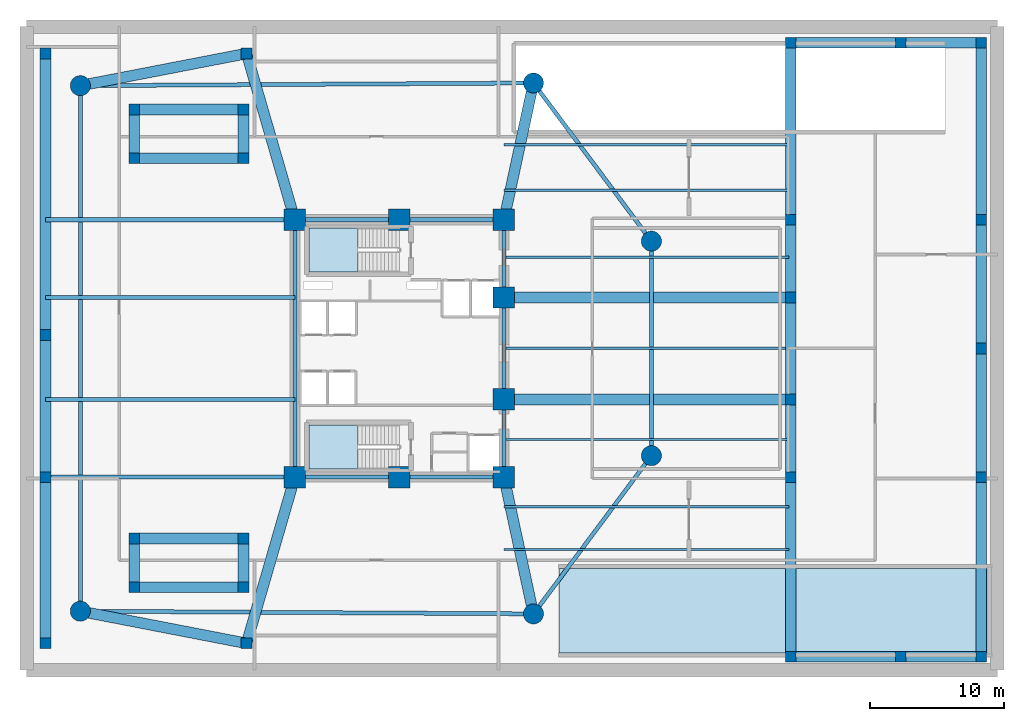
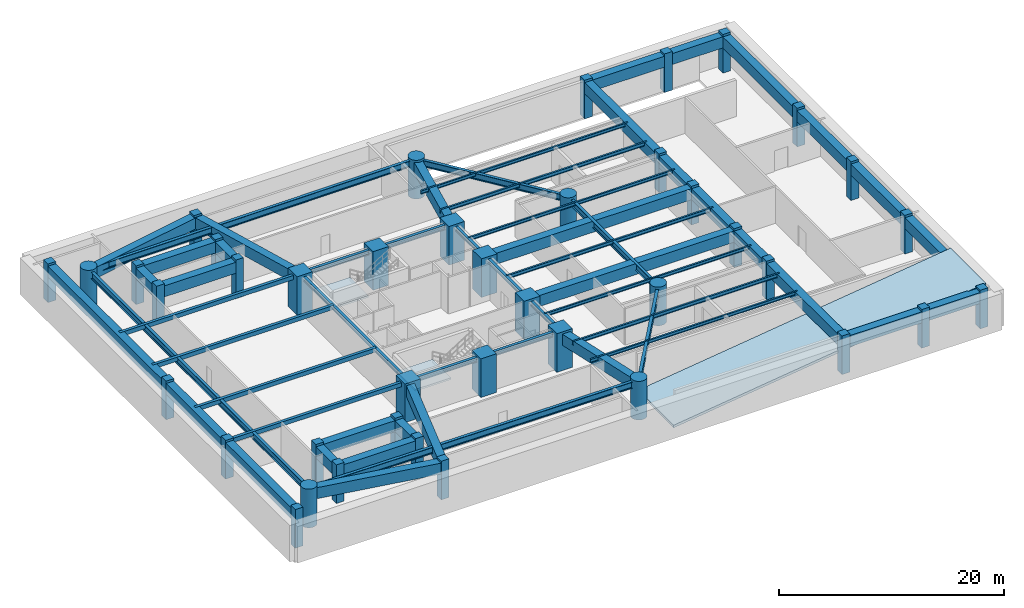
# One storey, part 1 of 7: 48 beams, 41 columns, 3 slabs, 2 elements without a shape of their own.
"""IFC4 building model written with IfcOpenShell, lengths in metres."""

from ifc_helpers import new_model, si_unit, direction, frame, origin, origin_2d, place, context, subcontext, project, spatial, polyline, rectangle, circle, i_section, outline, extrude, material, layer, layer_set, material_profile, profile_set, type_object, element, aggregate, save


model = new_model("IFC4")

# Units and contexts
model_context = context("Model", 3, precision=1e-05, world=origin(), true_north=direction((0.0, 1.0)))
body_context = subcontext(model_context, "Body", "Model", "MODEL_VIEW")
ifc_project = project(units=[si_unit("LENGTHUNIT", "METRE"), si_unit("AREAUNIT", "SQUARE_METRE"), si_unit("VOLUMEUNIT", "CUBIC_METRE"), si_unit("PLANEANGLEUNIT", "RADIAN"), si_unit("MASSUNIT", "GRAM", prefix="KILO")], contexts=[model_context])

# Site, building, storey
site_placement = place(None, origin())
site = spatial("IfcSite", under=ifc_project, at=site_placement, CompositionType="ELEMENT")
building_placement = place(site_placement, origin())
building = spatial("IfcBuilding", under=site, at=building_placement, Name="An Khanh Terracotta Commons", CompositionType="ELEMENT")
storey_placement = place(building_placement, frame((0.0, 0.0, -4.199951171875)))
storey = spatial("IfcBuildingStorey", under=building, at=storey_placement, Name="B01", CompositionType="ELEMENT", Elevation=-4.199951171875)

# Columns
ifc_material_1 = material(Name="Concrete C70/85", Category="concrete")
ifc_material_profile_1 = material_profile(ifc_material_1, circle(Radius=0.75, at=origin_2d()), Name="CFST1500")
ifc_profile_set_1 = profile_set([ifc_material_profile_1], Name="Concrete C70/85")
column_type_1 = type_object("IfcColumnType", Name="COL-CFST1500", PredefinedType="COLUMN", material=ifc_profile_set_1)
for number, where, z_axis, x_axis, name in (
    (1, (5.60009765625, 4.39990234375, 0.0), (0.0, 0.0, 1.0), (1.0, 0.0, 0.0), "B01 Mega-Column MC-01"),
    (2, (39.39990234375, 4.199951171875, 0.0), (0.0, 0.0, 1.0), (1.0, 0.0, 0.0), "B01 Mega-Column MC-02"),
    (3, (48.199951171875, 16.0, 0.0), (0.0, 0.0, 1.0), (1.0, 0.0, 0.0), "B01 Mega-Column MC-03"),
    (4, (48.199951171875, 32.0, 0.0), (0.0, 0.0, 1.0), (1.0, 0.0, 0.0), "B01 Mega-Column MC-04"),
    (5, (39.39990234375, 43.800048828125, 0.0), (0.0, 0.0, 1.0), (1.0, 0.0, 0.0), "B01 Mega-Column MC-05"),
    (6, (5.60009765625, 43.60009765625, 0.0), (0.0, 0.0, 1.0), (1.0, 0.0, 0.0), "B01 Mega-Column MC-06"),
):
    element("IfcColumn", number, at=place(storey_placement, frame(where, z_axis=z_axis, x_axis=x_axis)), inside=storey, type_object=column_type_1, Name=name, PredefinedType="COLUMN", context=body_context, shape_type="SweptSolid", body=[
        extrude(circle(Radius=0.75, at=origin_2d()), origin(), (0.0, 0.0, 1.0), 4.199951171875),
    ])
ifc_material_profile_2 = material_profile(ifc_material_1, rectangle(XDim=1.60009765625, YDim=1.60009765625, at=origin_2d()), Name="RC1600x1600")
ifc_profile_set_2 = profile_set([ifc_material_profile_2], Name="Concrete C70/85")
column_type_2 = type_object("IfcColumnType", Name="COL-RC1600x1600", PredefinedType="COLUMN", material=ifc_profile_set_2)
for number, where, z_axis, x_axis, name in (
    (7, (21.60009765625, 14.39990234375, 0.0), (0.0, 0.0, 1.0), (1.0, 0.0, 0.0), "B01 Core Boundary Column CC-01"),
    (8, (29.39990234375, 14.39990234375, 0.0), (0.0, 0.0, 1.0), (1.0, 0.0, 0.0), "B01 Core Boundary Column CC-02"),
    (9, (37.199951171875, 14.39990234375, 0.0), (0.0, 0.0, 1.0), (1.0, 0.0, 0.0), "B01 Core Boundary Column CC-03"),
    (10, (37.199951171875, 20.199951171875, 0.0), (0.0, 0.0, 1.0), (1.0, 0.0, 0.0), "B01 Core Boundary Column CC-04"),
    (11, (37.199951171875, 27.800048828125, 0.0), (0.0, 0.0, 1.0), (1.0, 0.0, 0.0), "B01 Core Boundary Column CC-05"),
    (12, (37.199951171875, 33.60009765625, 0.0), (0.0, 0.0, 1.0), (1.0, 0.0, 0.0), "B01 Core Boundary Column CC-06"),
    (13, (29.39990234375, 33.60009765625, 0.0), (0.0, 0.0, 1.0), (1.0, 0.0, 0.0), "B01 Core Boundary Column CC-07"),
    (14, (21.60009765625, 33.60009765625, 0.0), (0.0, 0.0, 1.0), (1.0, 0.0, 0.0), "B01 Core Boundary Column CC-08"),
):
    element("IfcColumn", number, at=place(storey_placement, frame(where, z_axis=z_axis, x_axis=x_axis)), inside=storey, type_object=column_type_2, Name=name, PredefinedType="COLUMN", context=body_context, shape_type="SweptSolid", body=[
        extrude(rectangle(XDim=1.60009765625, YDim=1.60009765625, at=origin_2d()), origin(), (0.0, 0.0, 1.0), 4.199951171875),
    ])
ifc_material_2 = material(Name="Concrete C60/75", Category="concrete")
ifc_material_profile_3 = material_profile(ifc_material_2, rectangle(XDim=0.800048828125, YDim=0.800048828125, at=origin_2d()), Name="RC800x800")
ifc_profile_set_3 = profile_set([ifc_material_profile_3], Name="Concrete C60/75")
column_type_3 = type_object("IfcColumnType", Name="COL-RC800x800", PredefinedType="COLUMN", material=ifc_profile_set_3)
for number, where, z_axis, x_axis, name in (
    (15, (3.0, 2.0, 0.0), (0.0, 0.0, 1.0), (1.0, 0.0, 0.0), "B01 Podium Column PC-01"),
    (16, (18.0, 2.0, 0.0), (0.0, 0.0, 1.0), (1.0, 0.0, 0.0), "B01 Podium Column PC-02"),
    (17, (58.60009765625, 1.0, 0.0), (0.0, 0.0, 1.0), (1.0, 0.0, 0.0), "B01 Podium Column PC-03"),
    (18, (72.800048828125, 1.0, 0.0), (0.0, 0.0, 1.0), (1.0, 0.0, 0.0), "B01 Podium Column PC-04"),
    (19, (72.800048828125, 14.39990234375, 0.0), (0.0, 0.0, 1.0), (1.0, 0.0, 0.0), "B01 Podium Column PC-05"),
    (20, (72.800048828125, 24.0, 0.0), (0.0, 0.0, 1.0), (1.0, 0.0, 0.0), "B01 Podium Column PC-06"),
    (21, (72.800048828125, 33.60009765625, 0.0), (0.0, 0.0, 1.0), (1.0, 0.0, 0.0), "B01 Podium Column PC-07"),
    (22, (72.800048828125, 46.800048828125, 0.0), (0.0, 0.0, 1.0), (1.0, 0.0, 0.0), "B01 Podium Column PC-08"),
    (23, (58.60009765625, 46.800048828125, 0.0), (0.0, 0.0, 1.0), (1.0, 0.0, 0.0), "B01 Podium Column PC-09"),
    (24, (18.0, 46.0, 0.0), (0.0, 0.0, 1.0), (1.0, 0.0, 0.0), "B01 Podium Column PC-10"),
    (25, (3.0, 46.0, 0.0), (0.0, 0.0, 1.0), (1.0, 0.0, 0.0), "B01 Podium Column PC-11"),
    (26, (3.0, 14.39990234375, 0.0), (0.0, 0.0, 1.0), (1.0, 0.0, 0.0), "B01 Podium Column PC-12"),
    (27, (3.0, 25.0, 0.0), (0.0, 0.0, 1.0), (1.0, 0.0, 0.0), "B01 Podium Column PC-17"),
    (28, (58.60009765625, 20.199951171875, 0.0), (0.0, 0.0, 1.0), (1.0, 0.0, 0.0), "B01 Podium Column PC-13"),
    (29, (58.60009765625, 27.800048828125, 0.0), (0.0, 0.0, 1.0), (1.0, 0.0, 0.0), "B01 Podium Column PC-14"),
    (30, (58.60009765625, 14.39990234375, 0.0), (0.0, 0.0, 1.0), (1.0, 0.0, 0.0), "B01 Podium Column PC-18"),
    (31, (58.60009765625, 33.60009765625, 0.0), (0.0, 0.0, 1.0), (1.0, 0.0, 0.0), "B01 Podium Column PC-19"),
    (32, (9.6298828125, 6.179931640625, 0.0), (0.0, 0.0, 1.0), (1.0, 0.0, 0.0), "B01 Podium Column PC-20"),
    (33, (17.77001953125, 9.820068359375, 0.0), (0.0, 0.0, 1.0), (1.0, 0.0, 0.0), "B01 Podium Column PC-21"),
    (34, (9.6298828125, 38.179931640625, 0.0), (0.0, 0.0, 1.0), (1.0, 0.0, 0.0), "B01 Podium Column PC-22"),
    (35, (17.77001953125, 41.820068359375, 0.0), (0.0, 0.0, 1.0), (1.0, 0.0, 0.0), "B01 Podium Column PC-23"),
    (36, (17.77001953125, 6.179931640625, 0.0), (0.0, 0.0, 1.0), (1.0, 0.0, 0.0), "B01 Podium Column PC-24"),
    (37, (9.6298828125, 9.820068359375, 0.0), (0.0, 0.0, 1.0), (1.0, 0.0, 0.0), "B01 Podium Column PC-25"),
    (38, (17.77001953125, 38.179931640625, 0.0), (0.0, 0.0, 1.0), (1.0, 0.0, 0.0), "B01 Podium Column PC-26"),
    (39, (9.6298828125, 41.820068359375, 0.0), (0.0, 0.0, 1.0), (1.0, 0.0, 0.0), "B01 Podium Column PC-27"),
    (40, (66.800048828125, 1.0, 0.0), (0.0, 0.0, 1.0), (1.0, 0.0, 0.0), "B01 Podium Column PC-15"),
    (41, (66.800048828125, 46.800048828125, 0.0), (0.0, 0.0, 1.0), (1.0, 0.0, 0.0), "B01 Podium Column PC-16"),
):
    element("IfcColumn", number, at=place(storey_placement, frame(where, z_axis=z_axis, x_axis=x_axis)), inside=storey, type_object=column_type_3, Name=name, PredefinedType="COLUMN", context=body_context, shape_type="SweptSolid", body=[
        extrude(rectangle(XDim=0.800048828125, YDim=0.800048828125, at=origin_2d()), origin(), (0.0, 0.0, 1.0), 4.199951171875),
    ])

# Beams
ifc_material_3 = material(Name="Steel S355J2", Category="steel")
ifc_material_profile_4 = material_profile(ifc_material_3, i_section(OverallWidth=0.300048828125, OverallDepth=0.449951171875, WebThickness=0.013916015625, FlangeThickness=0.02587890625, FilletRadius=0.027099609375, at=origin_2d()), Name="HEB450")
ifc_profile_set_4 = profile_set([ifc_material_profile_4], Name="Steel S355J2")
beam_type_1 = type_object("IfcBeamType", Name="BM-HEB450", PredefinedType="BEAM", material=ifc_profile_set_4)
beam_1_placement = place(storey_placement, frame((37.199951171875, 14.39990234375, 3.73486328125), z_axis=(0.0, 1.0, 0.0), x_axis=(-1.0, 0.0, 0.0)))
element("IfcBeam", 42, at=beam_1_placement, inside=storey, type_object=beam_type_1, Name="B01 Core East Coupling Girder 1", PredefinedType="BEAM", context=body_context, shape_type="SweptSolid", body=[
    extrude(i_section(OverallWidth=0.300048828125, OverallDepth=0.449951171875, WebThickness=0.013916015625, FlangeThickness=0.02587890625, FilletRadius=0.027099609375, at=origin_2d()), origin(), (0.0, 0.0, 1.0), 5.800048828125),
])
beam_2_placement = place(storey_placement, frame((37.199951171875, 20.199951171875, 3.73486328125), z_axis=(0.0, 1.0, 0.0), x_axis=(-1.0, 0.0, 0.0)))
element("IfcBeam", 43, at=beam_2_placement, inside=storey, type_object=beam_type_1, Name="B01 Core East Coupling Girder 2", PredefinedType="BEAM", context=body_context, shape_type="SweptSolid", body=[
    extrude(i_section(OverallWidth=0.300048828125, OverallDepth=0.449951171875, WebThickness=0.013916015625, FlangeThickness=0.02587890625, FilletRadius=0.027099609375, at=origin_2d()), origin(), (0.0, 0.0, 1.0), 7.60009765625),
])
beam_3_placement = place(storey_placement, frame((37.199951171875, 27.800048828125, 3.73486328125), z_axis=(0.0, 1.0, 0.0), x_axis=(-1.0, 0.0, 0.0)))
element("IfcBeam", 44, at=beam_3_placement, inside=storey, type_object=beam_type_1, Name="B01 Core East Coupling Girder 3", PredefinedType="BEAM", context=body_context, shape_type="SweptSolid", body=[
    extrude(i_section(OverallWidth=0.300048828125, OverallDepth=0.449951171875, WebThickness=0.013916015625, FlangeThickness=0.02587890625, FilletRadius=0.027099609375, at=origin_2d()), origin(), (0.0, 0.0, 1.0), 5.800048828125),
])
beam_4_placement = place(storey_placement, frame((21.60009765625, 14.39990234375, 3.73486328125), z_axis=(0.0, 1.0, 0.0), x_axis=(-1.0, 0.0, 0.0)))
element("IfcBeam", 45, at=beam_4_placement, inside=storey, type_object=beam_type_1, Name="B01 Core West Coupling Girder", PredefinedType="BEAM", context=body_context, shape_type="SweptSolid", body=[
    extrude(i_section(OverallWidth=0.300048828125, OverallDepth=0.449951171875, WebThickness=0.013916015625, FlangeThickness=0.02587890625, FilletRadius=0.027099609375, at=origin_2d()), origin(), (0.0, 0.0, 1.0), 19.2001953125),
])
ifc_material_profile_5 = material_profile(ifc_material_3, i_section(OverallWidth=0.300048828125, OverallDepth=0.5, WebThickness=0.014404296875, FlangeThickness=0.028076171875, FilletRadius=0.027099609375, at=origin_2d()), Name="HEB500")
ifc_profile_set_5 = profile_set([ifc_material_profile_5], Name="Steel S355J2")
beam_type_2 = type_object("IfcBeamType", Name="BM-HEB500", PredefinedType="BEAM", material=ifc_profile_set_5)
for number, where, z_axis, x_axis, name in (
    (46, (21.60009765625, 14.39990234375, 3.7099609375), (1.0, 0.0, 0.0), (0.0, 1.0, 0.0), "B01 Core South Coupling Girder"),
    (47, (21.60009765625, 33.60009765625, 3.7099609375), (1.0, 0.0, 0.0), (0.0, 1.0, 0.0), "B01 Core North Coupling Girder"),
):
    element("IfcBeam", number, at=place(storey_placement, frame(where, z_axis=z_axis, x_axis=x_axis)), inside=storey, type_object=beam_type_2, Name=name, PredefinedType="BEAM", context=body_context, shape_type="SweptSolid", body=[
        extrude(i_section(OverallWidth=0.300048828125, OverallDepth=0.5, WebThickness=0.014404296875, FlangeThickness=0.028076171875, FilletRadius=0.027099609375, at=origin_2d()), origin(), (0.0, 0.0, 1.0), 15.599853515625),
    ])
ifc_material_profile_6 = material_profile(ifc_material_3, i_section(OverallWidth=0.300048828125, OverallDepth=0.699951171875, WebThickness=0.01708984375, FlangeThickness=0.031982421875, FilletRadius=0.027099609375, at=origin_2d()), Name="HEB700")
ifc_profile_set_6 = profile_set([ifc_material_profile_6], Name="Steel S355J2")
beam_type_3 = type_object("IfcBeamType", Name="BM-HEB700", PredefinedType="BEAM", material=ifc_profile_set_6)
beam_5_placement = place(storey_placement, frame((5.60009765625, 4.39990234375, 3.60986328125), z_axis=(0.999982502414, -0.005915645817, 0.0), x_axis=(0.005915645817, 0.999982502414, 0.0)))
element("IfcBeam", 48, at=beam_5_placement, inside=storey, type_object=beam_type_3, Name="B01 Podium Mega-Ring Girder 1", PredefinedType="BEAM", context=body_context, shape_type="SweptSolid", body=[
    extrude(i_section(OverallWidth=0.300048828125, OverallDepth=0.699951171875, WebThickness=0.01708984375, FlangeThickness=0.031982421875, FilletRadius=0.027099609375, at=origin_2d()), origin(), (0.0, 0.0, 1.0), 33.80029296875),
])
beam_6_placement = place(storey_placement, frame((39.39990234375, 4.199951171875, 3.60986328125), z_axis=(0.59782442166, 0.801627070942, 0.0), x_axis=(-0.801627070942, 0.59782442166, 0.0)))
element("IfcBeam", 49, at=beam_6_placement, inside=storey, type_object=beam_type_3, Name="B01 Podium Mega-Ring Girder 2", PredefinedType="BEAM", context=body_context, shape_type="SweptSolid", body=[
    extrude(i_section(OverallWidth=0.300048828125, OverallDepth=0.699951171875, WebThickness=0.01708984375, FlangeThickness=0.031982421875, FilletRadius=0.027099609375, at=origin_2d()), origin(), (0.0, 0.0, 1.0), 14.72021484375),
])
beam_7_placement = place(storey_placement, frame((48.199951171875, 16.0, 3.60986328125), z_axis=(0.0, 1.0, 0.0), x_axis=(-1.0, 0.0, 0.0)))
element("IfcBeam", 50, at=beam_7_placement, inside=storey, type_object=beam_type_3, Name="B01 Podium Mega-Ring Girder 3", PredefinedType="BEAM", context=body_context, shape_type="SweptSolid", body=[
    extrude(i_section(OverallWidth=0.300048828125, OverallDepth=0.699951171875, WebThickness=0.01708984375, FlangeThickness=0.031982421875, FilletRadius=0.027099609375, at=origin_2d()), origin(), (0.0, 0.0, 1.0), 16.0),
])
beam_8_placement = place(storey_placement, frame((48.199951171875, 32.0, 3.60986328125), z_axis=(-0.59782442166, 0.801627070942, 0.0), x_axis=(-0.801627070942, -0.59782442166, 0.0)))
element("IfcBeam", 51, at=beam_8_placement, inside=storey, type_object=beam_type_3, Name="B01 Podium Mega-Ring Girder 4", PredefinedType="BEAM", context=body_context, shape_type="SweptSolid", body=[
    extrude(i_section(OverallWidth=0.300048828125, OverallDepth=0.699951171875, WebThickness=0.01708984375, FlangeThickness=0.031982421875, FilletRadius=0.027099609375, at=origin_2d()), origin(), (0.0, 0.0, 1.0), 14.72021484375),
])
beam_9_placement = place(storey_placement, frame((39.39990234375, 43.800048828125, 3.60986328125), z_axis=(-0.999982502414, -0.005915645817, 0.0), x_axis=(0.005915645817, -0.999982502414, 0.0)))
element("IfcBeam", 52, at=beam_9_placement, inside=storey, type_object=beam_type_3, Name="B01 Podium Mega-Ring Girder 5", PredefinedType="BEAM", context=body_context, shape_type="SweptSolid", body=[
    extrude(i_section(OverallWidth=0.300048828125, OverallDepth=0.699951171875, WebThickness=0.01708984375, FlangeThickness=0.031982421875, FilletRadius=0.027099609375, at=origin_2d()), origin(), (0.0, 0.0, 1.0), 33.80029296875),
])
beam_10_placement = place(storey_placement, frame((5.60009765625, 43.60009765625, 3.60986328125), z_axis=(0.0, -1.0, 0.0), x_axis=(1.0, 0.0, 0.0)))
element("IfcBeam", 53, at=beam_10_placement, inside=storey, type_object=beam_type_3, Name="B01 Podium Mega-Ring Girder 6", PredefinedType="BEAM", context=body_context, shape_type="SweptSolid", body=[
    extrude(i_section(OverallWidth=0.300048828125, OverallDepth=0.699951171875, WebThickness=0.01708984375, FlangeThickness=0.031982421875, FilletRadius=0.027099609375, at=origin_2d()), origin(), (0.0, 0.0, 1.0), 39.2001953125),
])
ifc_material_profile_7 = material_profile(ifc_material_3, i_section(OverallWidth=0.169921875, OverallDepth=0.360107421875, WebThickness=0.008056640625, FlangeThickness=0.0126953125, FilletRadius=0.01806640625, at=origin_2d()), Name="IPE360")
ifc_profile_set_7 = profile_set([ifc_material_profile_7], Name="Steel S355J2")
beam_type_4 = type_object("IfcBeamType", Name="BM-IPE360", PredefinedType="JOIST", material=ifc_profile_set_7)
for number, where, z_axis, x_axis, name in (
    (54, (37.199951171875, 9.0, 3.780029296875), (1.0, 0.0, 0.0), (0.0, 1.0, 0.0), "B01 East Composite Floor Joist 2"),
    (55, (37.199951171875, 17.199951171875, 3.780029296875), (1.0, 0.0, 0.0), (0.0, 1.0, 0.0), "B01 East Composite Floor Joist 4"),
    (56, (37.199951171875, 30.800048828125, 3.780029296875), (1.0, 0.0, 0.0), (0.0, 1.0, 0.0), "B01 East Composite Floor Joist 6"),
    (57, (37.199951171875, 39.199951171875, 3.780029296875), (1.0, 0.0, 0.0), (0.0, 1.0, 0.0), "B01 East Composite Floor Joist 8"),
):
    element("IfcBeam", number, at=place(storey_placement, frame(where, z_axis=z_axis, x_axis=x_axis)), inside=storey, type_object=beam_type_4, Name=name, PredefinedType="JOIST", context=body_context, shape_type="SweptSolid", body=[
        extrude(i_section(OverallWidth=0.169921875, OverallDepth=0.360107421875, WebThickness=0.008056640625, FlangeThickness=0.0126953125, FilletRadius=0.01806640625, at=origin_2d()), origin(), (0.0, 0.0, 1.0), 21.25),
    ])
ifc_material_profile_8 = material_profile(ifc_material_3, i_section(OverallWidth=0.179931640625, OverallDepth=0.39990234375, WebThickness=0.008544921875, FlangeThickness=0.013427734375, FilletRadius=0.02099609375, at=origin_2d()), Name="IPE400")
ifc_profile_set_8 = profile_set([ifc_material_profile_8], Name="Steel S355J2")
beam_type_5 = type_object("IfcBeamType", Name="BM-IPE400", PredefinedType="JOIST", material=ifc_profile_set_8)
for number, where, z_axis, x_axis, name in (
    (58, (37.199951171875, 12.199951171875, 3.760009765625), (1.0, 0.0, 0.0), (0.0, 1.0, 0.0), "B01 East Composite Floor Joist 3"),
    (59, (37.199951171875, 24.0, 3.760009765625), (1.0, 0.0, 0.0), (0.0, 1.0, 0.0), "B01 East Composite Floor Joist 5"),
    (60, (37.199951171875, 35.800048828125, 3.760009765625), (1.0, 0.0, 0.0), (0.0, 1.0, 0.0), "B01 East Composite Floor Joist 7"),
):
    element("IfcBeam", number, at=place(storey_placement, frame(where, z_axis=z_axis, x_axis=x_axis)), inside=storey, type_object=beam_type_5, Name=name, PredefinedType="JOIST", context=body_context, shape_type="SweptSolid", body=[
        extrude(i_section(OverallWidth=0.179931640625, OverallDepth=0.39990234375, WebThickness=0.008544921875, FlangeThickness=0.013427734375, FilletRadius=0.02099609375, at=origin_2d()), origin(), (0.0, 0.0, 1.0), 21.25),
    ])
ifc_material_4 = material(Name="Concrete C40/50", Category="concrete")
ifc_material_profile_9 = material_profile(ifc_material_4, rectangle(XDim=0.300048828125, YDim=0.449951171875, at=origin_2d()), Name="LNT300x450")
ifc_profile_set_9 = profile_set([ifc_material_profile_9], Name="Concrete C40/50")
beam_type_6 = type_object("IfcBeamType", Name="BM-LNT300x450", PredefinedType="LINTEL", material=ifc_profile_set_9)
for number, where, z_axis, x_axis, name in (
    (61, (3.0, 14.39990234375, 3.73486328125), (1.0, 0.0, 0.0), (0.0, 1.0, 0.0), "B01 West Basement Concrete Tie Lintel 1"),
    (62, (3.0, 20.199951171875, 3.73486328125), (1.0, 0.0, 0.0), (0.0, 1.0, 0.0), "B01 West Basement Concrete Tie Lintel 2"),
    (63, (3.0, 27.800048828125, 3.73486328125), (1.0, 0.0, 0.0), (0.0, 1.0, 0.0), "B01 West Basement Concrete Tie Lintel 3"),
    (64, (3.0, 33.60009765625, 3.73486328125), (1.0, 0.0, 0.0), (0.0, 1.0, 0.0), "B01 West Basement Concrete Tie Lintel 4"),
):
    element("IfcBeam", number, at=place(storey_placement, frame(where, z_axis=z_axis, x_axis=x_axis)), inside=storey, type_object=beam_type_6, Name=name, PredefinedType="LINTEL", context=body_context, shape_type="SweptSolid", body=[
        extrude(rectangle(XDim=0.300048828125, YDim=0.449951171875, at=origin_2d()), origin(), (0.0, 0.0, 1.0), 18.60009765625),
    ])
ifc_material_5 = material(Name="Concrete C50/60", Category="concrete")
ifc_material_profile_10 = material_profile(ifc_material_5, rectangle(XDim=0.800048828125, YDim=1.199951171875, at=origin_2d()), Name="RCB800x1200")
ifc_profile_set_10 = profile_set([ifc_material_profile_10], Name="Concrete C50/60")
beam_type_7 = type_object("IfcBeamType", Name="BM-RCB800x1200", PredefinedType="BEAM", material=ifc_profile_set_10)
beam_11_placement = place(storey_placement, frame((3.0, 2.0, 3.35986328125), z_axis=(0.0, 1.0, 0.0), x_axis=(-1.0, 0.0, 0.0)))
element("IfcBeam", 65, at=beam_11_placement, inside=storey, type_object=beam_type_7, Name="B01 Primary Podium Girder 1", PredefinedType="BEAM", context=body_context, shape_type="SweptSolid", body=[
    extrude(rectangle(XDim=0.800048828125, YDim=1.199951171875, at=origin_2d()), origin(), (0.0, 0.0, 1.0), 12.39990234375),
])
beam_12_placement = place(storey_placement, frame((3.0, 14.39990234375, 3.35986328125), z_axis=(0.0, 1.0, 0.0), x_axis=(-1.0, 0.0, 0.0)))
element("IfcBeam", 66, at=beam_12_placement, inside=storey, type_object=beam_type_7, Name="B01 Primary Podium Girder 2", PredefinedType="BEAM", context=body_context, shape_type="SweptSolid", body=[
    extrude(rectangle(XDim=0.800048828125, YDim=1.199951171875, at=origin_2d()), origin(), (0.0, 0.0, 1.0), 10.60009765625),
])
beam_13_placement = place(storey_placement, frame((3.0, 25.0, 3.35986328125), z_axis=(0.0, 1.0, 0.0), x_axis=(-1.0, 0.0, 0.0)))
element("IfcBeam", 67, at=beam_13_placement, inside=storey, type_object=beam_type_7, Name="B01 Primary Podium Girder 3", PredefinedType="BEAM", context=body_context, shape_type="SweptSolid", body=[
    extrude(rectangle(XDim=0.800048828125, YDim=1.199951171875, at=origin_2d()), origin(), (0.0, 0.0, 1.0), 21.0),
])
beam_14_placement = place(storey_placement, frame((5.60009765625, 4.39990234375, 3.35986328125), z_axis=(0.981781013874, -0.190015896168, 0.0), x_axis=(0.190015896168, 0.981781013874, 0.0)))
element("IfcBeam", 68, at=beam_14_placement, inside=storey, type_object=beam_type_7, Name="B01 Primary Podium Girder 4", PredefinedType="BEAM", context=body_context, shape_type="SweptSolid", body=[
    extrude(rectangle(XDim=0.800048828125, YDim=1.199951171875, at=origin_2d()), origin(), (0.0, 0.0, 1.0), 12.630126953125),
])
beam_15_placement = place(storey_placement, frame((18.0, 2.0, 3.35986328125), z_axis=(0.278819195264, 0.960343613689, 0.0), x_axis=(-0.960343613689, 0.278819195264, 0.0)))
element("IfcBeam", 69, at=beam_15_placement, inside=storey, type_object=beam_type_7, Name="B01 Primary Podium Girder 5", PredefinedType="BEAM", context=body_context, shape_type="SweptSolid", body=[
    extrude(rectangle(XDim=0.800048828125, YDim=1.199951171875, at=origin_2d()), origin(), (0.0, 0.0, 1.0), 12.911865234375),
])
for number, where, z_axis, x_axis, name in (
    (70, (39.39990234375, 4.199951171875, 3.35986328125), (-0.210834365214, 0.977521800496, 0.0), (-0.977521800496, -0.210834365214, 0.0), "B01 Primary Podium Girder 6"),
    (71, (39.39990234375, 43.800048828125, 3.35986328125), (-0.210834365214, -0.977521800496, 0.0), (0.977521800496, -0.210834365214, 0.0), "B01 Primary Podium Girder 7"),
):
    element("IfcBeam", number, at=place(storey_placement, frame(where, z_axis=z_axis, x_axis=x_axis)), inside=storey, type_object=beam_type_7, Name=name, PredefinedType="BEAM", context=body_context, shape_type="SweptSolid", body=[
        extrude(rectangle(XDim=0.800048828125, YDim=1.199951171875, at=origin_2d()), origin(), (0.0, 0.0, 1.0), 10.4345703125),
    ])
beam_16_placement = place(storey_placement, frame((5.60009765625, 43.60009765625, 3.35986328125), z_axis=(0.981781013874, 0.190015896168, 0.0), x_axis=(-0.190015896168, 0.981781013874, 0.0)))
element("IfcBeam", 72, at=beam_16_placement, inside=storey, type_object=beam_type_7, Name="B01 Primary Podium Girder 8", PredefinedType="BEAM", context=body_context, shape_type="SweptSolid", body=[
    extrude(rectangle(XDim=0.800048828125, YDim=1.199951171875, at=origin_2d()), origin(), (0.0, 0.0, 1.0), 12.630126953125),
])
beam_17_placement = place(storey_placement, frame((18.0, 46.0, 3.35986328125), z_axis=(0.278819195264, -0.960343613689, 0.0), x_axis=(0.960343613689, 0.278819195264, 0.0)))
element("IfcBeam", 73, at=beam_17_placement, inside=storey, type_object=beam_type_7, Name="B01 Primary Podium Girder 9", PredefinedType="BEAM", context=body_context, shape_type="SweptSolid", body=[
    extrude(rectangle(XDim=0.800048828125, YDim=1.199951171875, at=origin_2d()), origin(), (0.0, 0.0, 1.0), 12.911865234375),
])
beam_18_placement = place(storey_placement, frame((58.60009765625, 20.199951171875, 3.35986328125), z_axis=(0.0, 1.0, 0.0), x_axis=(-1.0, 0.0, 0.0)))
element("IfcBeam", 74, at=beam_18_placement, inside=storey, type_object=beam_type_7, Name="B01 Primary Podium Girder 10", PredefinedType="BEAM", context=body_context, shape_type="SweptSolid", body=[
    extrude(rectangle(XDim=0.800048828125, YDim=1.199951171875, at=origin_2d()), origin(), (0.0, 0.0, 1.0), 7.60009765625),
])
beam_19_placement = place(storey_placement, frame((58.60009765625, 1.0, 3.35986328125), z_axis=(0.0, 1.0, 0.0), x_axis=(-1.0, 0.0, 0.0)))
element("IfcBeam", 75, at=beam_19_placement, inside=storey, type_object=beam_type_7, Name="B01 Primary Podium Girder 11", PredefinedType="BEAM", context=body_context, shape_type="SweptSolid", body=[
    extrude(rectangle(XDim=0.800048828125, YDim=1.199951171875, at=origin_2d()), origin(), (0.0, 0.0, 1.0), 19.199951171875),
])
beam_20_placement = place(storey_placement, frame((58.60009765625, 27.800048828125, 3.35986328125), z_axis=(0.0, 1.0, 0.0), x_axis=(-1.0, 0.0, 0.0)))
element("IfcBeam", 76, at=beam_20_placement, inside=storey, type_object=beam_type_7, Name="B01 Primary Podium Girder 12", PredefinedType="BEAM", context=body_context, shape_type="SweptSolid", body=[
    extrude(rectangle(XDim=0.800048828125, YDim=1.199951171875, at=origin_2d()), origin(), (0.0, 0.0, 1.0), 19.0),
])
for number, where, z_axis, x_axis, name in (
    (77, (58.60009765625, 1.0, 3.35986328125), (1.0, 0.0, 0.0), (0.0, 1.0, 0.0), "B01 Primary Podium Girder 13"),
    (78, (58.60009765625, 46.800048828125, 3.35986328125), (1.0, 0.0, 0.0), (0.0, 1.0, 0.0), "B01 Primary Podium Girder 14"),
):
    element("IfcBeam", number, at=place(storey_placement, frame(where, z_axis=z_axis, x_axis=x_axis)), inside=storey, type_object=beam_type_7, Name=name, PredefinedType="BEAM", context=body_context, shape_type="SweptSolid", body=[
        extrude(rectangle(XDim=0.800048828125, YDim=1.199951171875, at=origin_2d()), origin(), (0.0, 0.0, 1.0), 14.199951171875),
    ])
beam_21_placement = place(storey_placement, frame((72.800048828125, 1.0, 3.35986328125), z_axis=(0.0, 1.0, 0.0), x_axis=(-1.0, 0.0, 0.0)))
element("IfcBeam", 79, at=beam_21_placement, inside=storey, type_object=beam_type_7, Name="B01 Primary Podium Girder 15", PredefinedType="BEAM", context=body_context, shape_type="SweptSolid", body=[
    extrude(rectangle(XDim=0.800048828125, YDim=1.199951171875, at=origin_2d()), origin(), (0.0, 0.0, 1.0), 45.800048828125),
])
for number, where, z_axis, x_axis, name in (
    (80, (37.199951171875, 20.199951171875, 3.35986328125), (1.0, 0.0, 0.0), (0.0, 1.0, 0.0), "B01 Primary Podium Girder 16"),
    (81, (37.199951171875, 27.800048828125, 3.35986328125), (1.0, 0.0, 0.0), (0.0, 1.0, 0.0), "B01 Primary Podium Girder 17"),
):
    element("IfcBeam", number, at=place(storey_placement, frame(where, z_axis=z_axis, x_axis=x_axis)), inside=storey, type_object=beam_type_7, Name=name, PredefinedType="BEAM", context=body_context, shape_type="SweptSolid", body=[
        extrude(rectangle(XDim=0.800048828125, YDim=1.199951171875, at=origin_2d()), origin(), (0.0, 0.0, 1.0), 21.400146484375),
    ])
beam_22_placement = place(storey_placement, frame((9.6298828125, 6.179931640625, 3.35986328125), z_axis=(0.0, 1.0, 0.0), x_axis=(-1.0, 0.0, 0.0)))
element("IfcBeam", 82, at=beam_22_placement, inside=storey, type_object=beam_type_7, Name="B01 Podium Stair ST-P1 W Support Girder", PredefinedType="BEAM", context=body_context, shape_type="SweptSolid", body=[
    extrude(rectangle(XDim=0.800048828125, YDim=1.199951171875, at=origin_2d()), origin(), (0.0, 0.0, 1.0), 3.64013671875),
])
for number, where, z_axis, x_axis, name in (
    (83, (9.6298828125, 9.820068359375, 3.35986328125), (1.0, 0.0, 0.0), (0.0, 1.0, 0.0), "B01 Podium Stair ST-P1 N Support Girder"),
    (84, (17.77001953125, 6.179931640625, 3.35986328125), (-1.0, 0.0, 0.0), (0.0, -1.0, 0.0), "B01 Podium Stair ST-P1 S Support Girder"),
):
    element("IfcBeam", number, at=place(storey_placement, frame(where, z_axis=z_axis, x_axis=x_axis)), inside=storey, type_object=beam_type_7, Name=name, PredefinedType="BEAM", context=body_context, shape_type="SweptSolid", body=[
        extrude(rectangle(XDim=0.800048828125, YDim=1.199951171875, at=origin_2d()), origin(), (0.0, 0.0, 1.0), 8.14013671875),
    ])
for number, where, z_axis, x_axis, name in (
    (85, (17.77001953125, 6.179931640625, 3.35986328125), (0.0, 1.0, 0.0), (-1.0, 0.0, 0.0), "B01 Podium Stair ST-P1 E Support Girder"),
    (86, (9.6298828125, 38.179931640625, 3.35986328125), (0.0, 1.0, 0.0), (-1.0, 0.0, 0.0), "B01 Podium Stair ST-P2 W Support Girder"),
):
    element("IfcBeam", number, at=place(storey_placement, frame(where, z_axis=z_axis, x_axis=x_axis)), inside=storey, type_object=beam_type_7, Name=name, PredefinedType="BEAM", context=body_context, shape_type="SweptSolid", body=[
        extrude(rectangle(XDim=0.800048828125, YDim=1.199951171875, at=origin_2d()), origin(), (0.0, 0.0, 1.0), 3.64013671875),
    ])
for number, where, z_axis, x_axis, name in (
    (87, (9.6298828125, 41.820068359375, 3.35986328125), (1.0, 0.0, 0.0), (0.0, 1.0, 0.0), "B01 Podium Stair ST-P2 N Support Girder"),
    (88, (17.77001953125, 38.179931640625, 3.35986328125), (-1.0, 0.0, 0.0), (0.0, -1.0, 0.0), "B01 Podium Stair ST-P2 S Support Girder"),
):
    element("IfcBeam", number, at=place(storey_placement, frame(where, z_axis=z_axis, x_axis=x_axis)), inside=storey, type_object=beam_type_7, Name=name, PredefinedType="BEAM", context=body_context, shape_type="SweptSolid", body=[
        extrude(rectangle(XDim=0.800048828125, YDim=1.199951171875, at=origin_2d()), origin(), (0.0, 0.0, 1.0), 8.14013671875),
    ])
beam_23_placement = place(storey_placement, frame((17.77001953125, 38.179931640625, 3.35986328125), z_axis=(0.0, 1.0, 0.0), x_axis=(-1.0, 0.0, 0.0)))
element("IfcBeam", 89, at=beam_23_placement, inside=storey, type_object=beam_type_7, Name="B01 Podium Stair ST-P2 E Support Girder", PredefinedType="BEAM", context=body_context, shape_type="SweptSolid", body=[
    extrude(rectangle(XDim=0.800048828125, YDim=1.199951171875, at=origin_2d()), origin(), (0.0, 0.0, 1.0), 3.64013671875),
])

# Stair, slab
ifc_material_6 = material(Name="Precast concrete C40/50", Category="concrete")
stair_type = type_object("IfcStairType", Name="STAIR-CORE-1550", PredefinedType="HALF_TURN_STAIR", material=ifc_material_6)
stair_1_placement = place(storey_placement, origin())
stair_1 = element("IfcStair", 90, at=stair_1_placement, inside=storey, type_object=stair_type, Name="B01 Core Smokeproof Exit Stair ST-01", PredefinedType="HALF_TURN_STAIR")
ifc_layer_1 = layer(ifc_material_4, 0.18994140625, Name="Concrete C40/50")
ifc_layer_set_1 = layer_set([ifc_layer_1], Name="Concrete C40/50")
slab_type_1 = type_object("IfcSlabType", Name="SLAB-LANDING-190", PredefinedType="LANDING", material=ifc_layer_set_1)
slab_1_placement = place(storey_placement, frame((0.0, 0.0, 1.89990234375)))
slab_1 = element("IfcSlab", 91, at=slab_1_placement, type_object=slab_type_1, Name="ST-01 landing 1", PredefinedType="LANDING", context=body_context, shape_type="SweptSolid", body=[
    extrude(outline(polyline([(26.330078125, 33.0), (22.64990234375, 33.0), (22.64990234375, 29.699951171875), (26.330078125, 29.699951171875), (26.330078125, 33.0)])), origin(), (0.0, 0.0, 1.0), 0.199951171875),
])
aggregate(stair_1, [slab_1])

stair_2_placement = place(storey_placement, origin())
stair_2 = element("IfcStair", 92, at=stair_2_placement, inside=storey, type_object=stair_type, Name="B01 Core Smokeproof Exit Stair ST-02", PredefinedType="HALF_TURN_STAIR")
slab_2_placement = place(storey_placement, frame((0.0, 0.0, 1.89990234375)))
slab_2 = element("IfcSlab", 93, at=slab_2_placement, type_object=slab_type_1, Name="ST-02 landing 1", PredefinedType="LANDING", context=body_context, shape_type="SweptSolid", body=[
    extrude(outline(polyline([(26.330078125, 18.300048828125), (22.64990234375, 18.300048828125), (22.64990234375, 15.0), (26.330078125, 15.0), (26.330078125, 18.300048828125)])), origin(), (0.0, 0.0, 1.0), 0.199951171875),
])
aggregate(stair_2, [slab_2])

# Slab
ifc_layer_2 = layer(ifc_material_4, 0.280029296875, Name="Concrete C40/50")
ifc_layer_set_2 = layer_set([ifc_layer_2], Name="Concrete C40/50")
slab_type_2 = type_object("IfcSlabType", Name="SLAB-RAMP-280", PredefinedType="FLOOR", material=ifc_layer_set_2)
slab_3_placement = place(storey_placement, frame((41.300048828125, 4.449951171875, 0.0), z_axis=(0.0, 0.0, 1.0), x_axis=(1.0, 0.0, 0.0)))
element("IfcSlab", 94, at=slab_3_placement, inside=storey, type_object=slab_type_2, Name="Car Park Grade Exit Vehicle Ramp R-B1 Sloped Slab", PredefinedType="FLOOR", context=body_context, shape_type="SweptSolid", body=[
    extrude(outline(polyline([(0.0, 0.0), (32.099853515625, 4.199951171875), (32.099853515625, 3.919921875), (0.0, -0.280029296875), (0.0, 0.0)])), frame((0.0, 3.14990234375, 0.0), z_axis=(0.0, -1.0, 0.0), x_axis=(1.0, 0.0, 0.0)), (0.0, 0.0, 1.0), 6.300048828125),
])

save(model, "model.ifc")
